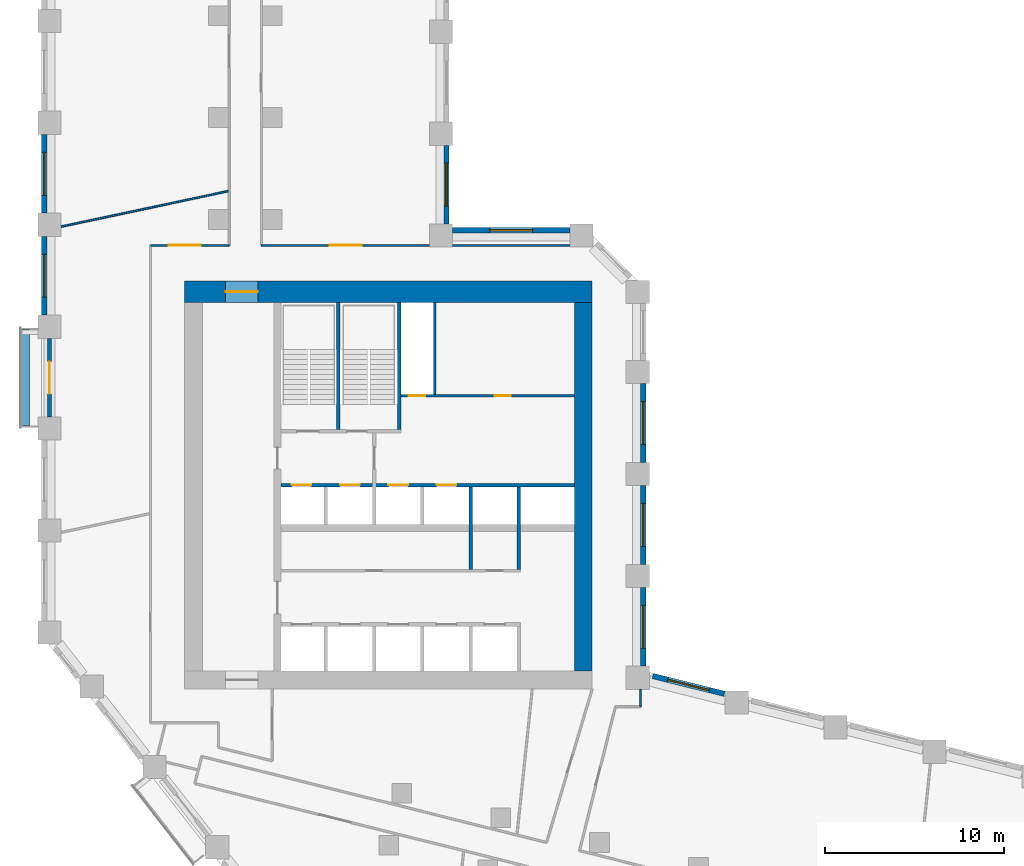
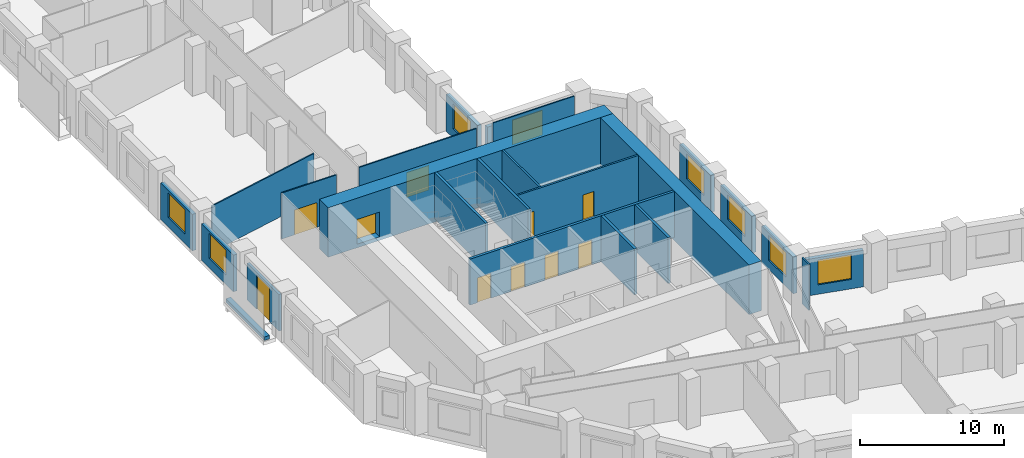
# One storey, part 5 of 11: 24 walls, 10 doors, 8 windows, 18 openings.
"""IFC4 building model written with IfcOpenShell, lengths in metres."""

from ifc_helpers import new_model, si_unit, direction, frame, frame_2d, origin, place, context, subcontext, project, spatial, rectangle, extrude, material, layer, layer_set, type_object, element, fill, save


model = new_model("IFC4")

# Units and contexts
model_context = context("Model", 3, precision=1e-05, world=origin(), true_north=direction((0.0, 1.0)))
body_context = subcontext(model_context, "Body", "Model", "MODEL_VIEW")
ifc_project = project(units=[si_unit("LENGTHUNIT", "METRE"), si_unit("AREAUNIT", "SQUARE_METRE"), si_unit("VOLUMEUNIT", "CUBIC_METRE"), si_unit("PLANEANGLEUNIT", "RADIAN"), si_unit("MASSUNIT", "GRAM", prefix="KILO")], contexts=[model_context])

# Site, building, storey
site_placement = place(None, origin())
site = spatial("IfcSite", under=ifc_project, at=site_placement, CompositionType="ELEMENT")
building_placement = place(site_placement, origin())
building = spatial("IfcBuilding", under=site, at=building_placement, Name="Meshkara Civic Tower", CompositionType="ELEMENT")
storey_placement = place(building_placement, frame((0.0, 0.0, 135.0)))
storey = spatial("IfcBuildingStorey", under=building, at=storey_placement, Name="L30", CompositionType="ELEMENT", Elevation=135.0)

# Wall, openings, doors
ifc_material_1 = material(Name="Blockwork", Category="masonry")
ifc_layer_1 = layer(ifc_material_1, 0.14990234375)
ifc_layer_set_1 = layer_set([ifc_layer_1], Name="Core partition 150")
wall_type_1 = type_object("IfcWallType", Name="Core partition 150", PredefinedType="PARTITIONING", material=ifc_layer_set_1)
wall_1_placement = place(storey_placement, frame((20.10009765625, 30.5, 0.0), z_axis=(0.0, 0.0, 1.0), x_axis=(1.0, 0.0, 0.0)))
wall_1 = element("IfcWall", 1, at=wall_1_placement, inside=storey, type_object=wall_type_1, Name="L30-C010", PredefinedType="PARTITIONING", context=body_context, shape_type="SweptSolid", body=[
    extrude(rectangle(XDim=9.699951171875, YDim=0.14990234375, at=frame_2d((4.85009765625, 0.0))), origin(), (0.0, 0.0, 1.0), 3.89990234375),
])
opening_1_placement = place(wall_1_placement, frame((0.449951171875, 0.0, 0.0)))
opening_1 = element("IfcOpeningElement", 2, at=opening_1_placement, cuts=wall_1, Name="Opening L30-K012", PredefinedType="OPENING", context=body_context, shape_type="SweptSolid", body=[
    extrude(rectangle(XDim=0.89990234375, YDim=2.10009765625, at=frame_2d((0.449951171875, 1.050048828125))), frame((0.0, 0.0849609375, 0.0), z_axis=(0.0, -1.0, 0.0), x_axis=(1.0, 0.0, 0.0)), (0.0, 0.0, 1.0), 0.169921875),
])
opening_2_placement = place(wall_1_placement, frame((5.25, 0.0, 0.0)))
opening_2 = element("IfcOpeningElement", 3, at=opening_2_placement, cuts=wall_1, Name="Opening L30-K013", PredefinedType="OPENING", context=body_context, shape_type="SweptSolid", body=[
    extrude(rectangle(XDim=0.89990234375, YDim=2.10009765625, at=frame_2d((0.449951171875, 1.050048828125))), frame((0.0, 0.0849609375, 0.0), z_axis=(0.0, -1.0, 0.0), x_axis=(1.0, 0.0, 0.0)), (0.0, 0.0, 1.0), 0.169921875),
])
ifc_material_2 = material(Name="Timber door leaf in steel frame", Category="steel")
door_type_1 = type_object("IfcDoorType", Name="Core room door 900", OperationType="SINGLE_SWING_LEFT", PredefinedType="DOOR", material=ifc_material_2)
door_1_placement = place(opening_2_placement, origin())
door_1 = element("IfcDoor", 4, at=door_1_placement, inside=storey, type_object=door_type_1, Name="L30-K013", OperationType="SINGLE_SWING_LEFT", OverallHeight=2.10009765625, OverallWidth=0.89990234375, PredefinedType="DOOR", context=body_context, shape_type="SweptSolid", body=[
    extrude(rectangle(XDim=0.89990234375, YDim=2.10009765625, at=frame_2d((0.449951171875, 1.050048828125))), frame((0.0, 0.02490234375, 0.0), z_axis=(0.0, -1.0, 0.0), x_axis=(1.0, 0.0, 0.0)), (0.0, 0.0, 1.0), 0.050048828125),
])
fill(opening_2, door_1)
ifc_material_3 = material(Name="Fire-rated door leaf in steel frame", Category="steel")
door_type_2 = type_object("IfcDoorType", Name="Riser door 900", OperationType="SINGLE_SWING_LEFT", PredefinedType="DOOR", material=ifc_material_3)
door_2_placement = place(opening_1_placement, origin())
door_2 = element("IfcDoor", 5, at=door_2_placement, inside=storey, type_object=door_type_2, Name="L30-K012", OperationType="SINGLE_SWING_RIGHT", OverallHeight=2.10009765625, OverallWidth=0.89990234375, PredefinedType="DOOR", context=body_context, shape_type="SweptSolid", body=[
    extrude(rectangle(XDim=0.89990234375, YDim=2.10009765625, at=frame_2d((0.449951171875, 1.050048828125))), frame((0.0, 0.02490234375, 0.0), z_axis=(0.0, -1.0, 0.0), x_axis=(1.0, 0.0, 0.0)), (0.0, 0.0, 1.0), 0.050048828125),
])
fill(opening_1, door_2)

# Walls
wall_2_placement = place(storey_placement, frame((22.0, 30.574951171875, 0.0), z_axis=(0.0, 0.0, 1.0), x_axis=(0.0, 1.0, 0.0)))
element("IfcWall", 6, at=wall_2_placement, inside=storey, type_object=wall_type_1, Name="L30-C020", PredefinedType="PARTITIONING", context=body_context, shape_type="SweptSolid", body=[
    extrude(rectangle(XDim=5.125, YDim=0.14990234375, at=frame_2d((2.5625, 0.0))), origin(), (0.0, 0.0, 1.0), 3.89990234375),
])
ifc_material_4 = material(Name="Concrete C70", Category="concrete")
ifc_layer_2 = layer(ifc_material_4, 1.0)
ifc_layer_set_2 = layer_set([ifc_layer_2], Name="Core ring wall 1000 C70")
wall_type_2 = type_object("IfcWallType", Name="Core ring wall 1000 C70", PredefinedType="SHEAR", material=ifc_layer_set_2)
wall_3_placement = place(storey_placement, frame((30.300048828125, 15.10009765625, -0.300048828125), z_axis=(0.0, 0.0, 1.0), x_axis=(0.0, 1.0, 0.0)))
element("IfcWall", 7, at=wall_3_placement, inside=storey, type_object=wall_type_2, Name="L30-C004", PredefinedType="SHEAR", context=body_context, shape_type="SweptSolid", body=[
    extrude(rectangle(XDim=20.599853515625, YDim=1.0, at=frame_2d((10.2998046875, 0.0))), origin(), (0.0, 0.0, 1.0), 4.199951171875),
])

# Wall, opening, door
ifc_material_5 = material(Name="Concrete C70", Category="concrete")
ifc_layer_3 = layer(ifc_material_5, 1.199951171875)
ifc_layer_set_3 = layer_set([ifc_layer_3], Name="Core ring wall 1200 C70")
wall_type_3 = type_object("IfcWallType", Name="Core ring wall 1200 C70", PredefinedType="SHEAR", material=ifc_layer_set_3)
wall_4_placement = place(storey_placement, frame((8.0, 36.300048828125, -0.300048828125), z_axis=(0.0, 0.0, 1.0), x_axis=(1.0, 0.0, 0.0)))
wall_4 = element("IfcWall", 8, at=wall_4_placement, inside=storey, type_object=wall_type_3, Name="L30-C002", PredefinedType="SHEAR", context=body_context, shape_type="SweptSolid", body=[
    extrude(rectangle(XDim=22.800048828125, YDim=1.199951171875, at=frame_2d((11.39990234375, 0.0))), origin(), (0.0, 0.0, 1.0), 4.199951171875),
])
opening_3_placement = place(wall_4_placement, frame((2.300048828125, 0.0, 0.300048828125)))
opening_3 = element("IfcOpeningElement", 9, at=opening_3_placement, cuts=wall_4, Name="Opening L30-K019", PredefinedType="OPENING", context=body_context, shape_type="SweptSolid", body=[
    extrude(rectangle(XDim=1.800048828125, YDim=2.10009765625, at=frame_2d((0.89990234375, 1.050048828125))), frame((0.0, 0.60986328125, 0.0), z_axis=(0.0, -1.0, 0.0), x_axis=(1.0, 0.0, 0.0)), (0.0, 0.0, 1.0), 1.219970703125),
])
ifc_material_6 = material(Name="Fire-rated door leaf in steel frame", Category="steel")
door_type_3 = type_object("IfcDoorType", Name="Core double door 1800 EI 60", OperationType="DOUBLE_DOOR_SINGLE_SWING", PredefinedType="DOOR", material=ifc_material_6)
door_3_placement = place(opening_3_placement, origin())
door_3 = element("IfcDoor", 10, at=door_3_placement, inside=storey, type_object=door_type_3, Name="L30-K019", OperationType="DOUBLE_DOOR_SINGLE_SWING", OverallHeight=2.10009765625, OverallWidth=1.800048828125, PredefinedType="DOOR", context=body_context, shape_type="SweptSolid", body=[
    extrude(rectangle(XDim=1.800048828125, YDim=2.10009765625, at=frame_2d((0.89990234375, 1.050048828125))), frame((0.0, 0.02490234375, 0.0), z_axis=(0.0, -1.0, 0.0), x_axis=(1.0, 0.0, 0.0)), (0.0, 0.0, 1.0), 0.050048828125),
])
fill(opening_3, door_3)

ifc_material_7 = material(Name="Corridor wall 100")
ifc_layer_4 = layer(ifc_material_7, 0.10009765625)
ifc_layer_set_4 = layer_set([ifc_layer_4], Name="Corridor wall 100")
wall_type_4 = type_object("IfcWallType", Name="Corridor wall 100", PredefinedType="PARTITIONING", material=ifc_layer_set_4)
wall_5_placement = place(storey_placement, frame((10.5, 38.89990234375, 0.0), z_axis=(0.0, 0.0, 1.0), x_axis=(-1.0, 0.0, 0.0)))
wall_5 = element("IfcWall", 11, at=wall_5_placement, inside=storey, type_object=wall_type_4, Name="L30-W011", PredefinedType="PARTITIONING", context=body_context, shape_type="SweptSolid", body=[
    extrude(rectangle(XDim=4.39990234375, YDim=0.10009765625, at=frame_2d((2.199951171875, 0.0))), origin(), (0.0, 0.0, 1.0), 3.89990234375),
])
opening_4_placement = place(wall_5_placement, frame((1.580078125, 0.0, 0.0)))
opening_4 = element("IfcOpeningElement", 12, at=opening_4_placement, cuts=wall_5, Name="Opening L30-D016", PredefinedType="OPENING", context=body_context, shape_type="SweptSolid", body=[
    extrude(rectangle(XDim=1.800048828125, YDim=2.10009765625, at=frame_2d((0.89990234375, 1.050048828125))), frame((0.0, 0.06005859375, 0.0), z_axis=(0.0, -1.0, 0.0), x_axis=(1.0, 0.0, 0.0)), (0.0, 0.0, 1.0), 0.1201171875),
])
ifc_material_8 = material(Name="Door pair 1800 x 2100")
door_type_4 = type_object("IfcDoorType", Name="Door pair 1800 x 2100", OperationType="SINGLE_SWING_LEFT", PredefinedType="DOOR", material=ifc_material_8)
door_4_placement = place(opening_4_placement, origin())
door_4 = element("IfcDoor", 13, at=door_4_placement, inside=storey, type_object=door_type_4, Name="L30-D016", OperationType="DOUBLE_DOOR_SINGLE_SWING", OverallHeight=2.10009765625, OverallWidth=1.800048828125, PredefinedType="DOOR", context=body_context, shape_type="SweptSolid", body=[
    extrude(rectangle(XDim=1.800048828125, YDim=2.10009765625, at=frame_2d((0.89990234375, 1.050048828125))), frame((0.0, 0.02490234375, 0.0), z_axis=(0.0, -1.0, 0.0), x_axis=(1.0, 0.0, 0.0)), (0.0, 0.0, 1.0), 0.050048828125),
])
fill(opening_4, door_4)

wall_6_placement = place(storey_placement, frame((21.699951171875, 38.89990234375, 0.0), z_axis=(0.0, 0.0, 1.0), x_axis=(-1.0, 0.0, 0.0)))
wall_6 = element("IfcWall", 14, at=wall_6_placement, inside=storey, type_object=wall_type_4, Name="L30-W018", PredefinedType="PARTITIONING", context=body_context, shape_type="SweptSolid", body=[
    extrude(rectangle(XDim=9.39990234375, YDim=0.10009765625, at=frame_2d((4.699951171875, 0.0))), origin(), (0.0, 0.0, 1.0), 3.89990234375),
])
opening_5_placement = place(wall_6_placement, frame((3.780029296875, 0.0, 0.0)))
opening_5 = element("IfcOpeningElement", 15, at=opening_5_placement, cuts=wall_6, Name="Opening L30-D017", PredefinedType="OPENING", context=body_context, shape_type="SweptSolid", body=[
    extrude(rectangle(XDim=1.800048828125, YDim=2.10009765625, at=frame_2d((0.89990234375, 1.050048828125))), frame((0.0, 0.06005859375, 0.0), z_axis=(0.0, -1.0, 0.0), x_axis=(1.0, 0.0, 0.0)), (0.0, 0.0, 1.0), 0.1201171875),
])
door_5_placement = place(opening_5_placement, origin())
door_5 = element("IfcDoor", 16, at=door_5_placement, inside=storey, type_object=door_type_4, Name="L30-D017", OperationType="DOUBLE_DOOR_SINGLE_SWING", OverallHeight=2.10009765625, OverallWidth=1.800048828125, PredefinedType="DOOR", context=body_context, shape_type="SweptSolid", body=[
    extrude(rectangle(XDim=1.800048828125, YDim=2.10009765625, at=frame_2d((0.89990234375, 1.050048828125))), frame((0.0, 0.02490234375, 0.0), z_axis=(0.0, -1.0, 0.0), x_axis=(1.0, 0.0, 0.0)), (0.0, 0.0, 1.0), 0.050048828125),
])
fill(opening_5, door_5)

# Walls
wall_7_placement = place(storey_placement, frame((29.5439453125, 38.89990234375, 0.0), z_axis=(0.0, 0.0, 1.0), x_axis=(-1.0, 0.0, 0.0)))
element("IfcWall", 17, at=wall_7_placement, inside=storey, type_object=wall_type_4, Name="L30-W019", PredefinedType="PARTITIONING", context=body_context, shape_type="SweptSolid", body=[
    extrude(rectangle(XDim=6.5439453125, YDim=0.10009765625, at=frame_2d((3.27197265625, 0.0))), origin(), (0.0, 0.0, 1.0), 3.89990234375),
])
wall_8_placement = place(storey_placement, frame((33.5, 13.10009765625, 0.0), z_axis=(0.0, 0.0, 1.0), x_axis=(0.0, 1.0, 0.0)))
element("IfcWall", 18, at=wall_8_placement, inside=storey, type_object=wall_type_4, Name="L30-W024", PredefinedType="PARTITIONING", context=body_context, shape_type="SweptSolid", body=[
    extrude(rectangle(XDim=0.968994140625, YDim=0.10009765625, at=frame_2d((0.484375, 0.0))), origin(), (0.0, 0.0, 1.0), 3.89990234375),
])

# Wall, opening, window
ifc_material_9 = material(Name="Insulated infill panel with bronze anodised aluminium cladding", Category="aluminium")
ifc_layer_5 = layer(ifc_material_9, 0.300048828125)
ifc_layer_set_5 = layer_set([ifc_layer_5], Name="EXTERNAL INFILL WALL 300")
wall_type_5 = type_object("IfcWallType", Name="EXTERNAL INFILL WALL 300", PredefinedType="SOLIDWALL", material=ifc_layer_set_5)
wall_9_placement = place(storey_placement, frame((38.18896484375, 13.822021484375, 0.0), z_axis=(0.0, 0.0, 1.0), x_axis=(-0.970281616392, 0.241978480223, 0.0)))
wall_9 = element("IfcWall", 19, at=wall_9_placement, inside=storey, type_object=wall_type_5, Name="External wall", PredefinedType="SOLIDWALL", context=body_context, shape_type="SweptSolid", body=[
    extrude(rectangle(XDim=4.12451171875, YDim=0.300048828125, at=frame_2d((2.062255859375, 0.0))), origin(), (0.0, 0.0, 1.0), 3.10009765625),
])
opening_6_placement = place(wall_9_placement, frame((0.862060546875, 0.0, 0.800048828125)))
opening_6 = element("IfcOpeningElement", 20, at=opening_6_placement, cuts=wall_9, Name="Opening W7", PredefinedType="OPENING", context=body_context, shape_type="SweptSolid", body=[
    extrude(rectangle(XDim=2.39990234375, YDim=2.10009765625, at=frame_2d((1.199951171875, 1.050048828125))), frame((0.0, 0.159912109375, 0.0), z_axis=(0.0, -1.0, 0.0), x_axis=(1.0, 0.0, 0.0)), (0.0, 0.0, 1.0), 0.320068359375),
])
ifc_material_10 = material(Name="Tinted double glazing", Category="glass")
window_type = type_object("IfcWindowType", Name="WINDOW 2400x2100", PartitioningType="DOUBLE_PANEL_VERTICAL", PredefinedType="WINDOW", material=ifc_material_10)
window_1_placement = place(opening_6_placement, origin())
window_1 = element("IfcWindow", 21, at=window_1_placement, inside=storey, type_object=window_type, Name="Window", OverallHeight=2.10009765625, OverallWidth=2.39990234375, PartitioningType="DOUBLE_PANEL_VERTICAL", PredefinedType="WINDOW", context=body_context, shape_type="SweptSolid", body=[
    extrude(rectangle(XDim=2.39990234375, YDim=2.10009765625, at=frame_2d((1.199951171875, 1.050048828125))), frame((0.0, 0.030029296875, 0.0), z_axis=(0.0, -1.0, 0.0), x_axis=(1.0, 0.0, 0.0)), (0.0, 0.0, 1.0), 0.06005859375),
])
fill(opening_6, window_1)

wall_10_placement = place(storey_placement, frame((33.64990234375, 15.368896484375, 0.0), z_axis=(0.0, 0.0, 1.0), x_axis=(0.0, 1.0, 0.0)))
wall_10 = element("IfcWall", 22, at=wall_10_placement, inside=storey, type_object=wall_type_5, Name="External wall", PredefinedType="SOLIDWALL", context=body_context, shape_type="SweptSolid", body=[
    extrude(rectangle(XDim=4.400146484375, YDim=0.300048828125, at=frame_2d((2.2001953125, 0.0))), origin(), (0.0, 0.0, 1.0), 3.10009765625),
])
opening_7_placement = place(wall_10_placement, frame((1.0, 0.0, 0.800048828125)))
opening_7 = element("IfcOpeningElement", 23, at=opening_7_placement, cuts=wall_10, Name="Opening W7", PredefinedType="OPENING", context=body_context, shape_type="SweptSolid", body=[
    extrude(rectangle(XDim=2.39990234375, YDim=2.10009765625, at=frame_2d((1.199951171875, 1.050048828125))), frame((0.0, 0.159912109375, 0.0), z_axis=(0.0, -1.0, 0.0), x_axis=(1.0, 0.0, 0.0)), (0.0, 0.0, 1.0), 0.320068359375),
])
window_2_placement = place(opening_7_placement, origin())
window_2 = element("IfcWindow", 24, at=window_2_placement, inside=storey, type_object=window_type, Name="Window", OverallHeight=2.10009765625, OverallWidth=2.39990234375, PartitioningType="DOUBLE_PANEL_VERTICAL", PredefinedType="WINDOW", context=body_context, shape_type="SweptSolid", body=[
    extrude(rectangle(XDim=2.39990234375, YDim=2.10009765625, at=frame_2d((1.199951171875, 1.050048828125))), frame((0.0, 0.030029296875, 0.0), z_axis=(0.0, -1.0, 0.0), x_axis=(1.0, 0.0, 0.0)), (0.0, 0.0, 1.0), 0.06005859375),
])
fill(opening_7, window_2)

wall_11_placement = place(storey_placement, frame((33.64990234375, 21.069091796875, 0.0), z_axis=(0.0, 0.0, 1.0), x_axis=(0.0, 1.0, 0.0)))
wall_11 = element("IfcWall", 25, at=wall_11_placement, inside=storey, type_object=wall_type_5, Name="External wall", PredefinedType="SOLIDWALL", context=body_context, shape_type="SweptSolid", body=[
    extrude(rectangle(XDim=4.39990234375, YDim=0.300048828125, at=frame_2d((2.199951171875, 0.0))), origin(), (0.0, 0.0, 1.0), 3.10009765625),
])
opening_8_placement = place(wall_11_placement, frame((1.0, 0.0, 0.800048828125)))
opening_8 = element("IfcOpeningElement", 26, at=opening_8_placement, cuts=wall_11, Name="Opening W7", PredefinedType="OPENING", context=body_context, shape_type="SweptSolid", body=[
    extrude(rectangle(XDim=2.39990234375, YDim=2.10009765625, at=frame_2d((1.199951171875, 1.050048828125))), frame((0.0, 0.159912109375, 0.0), z_axis=(0.0, -1.0, 0.0), x_axis=(1.0, 0.0, 0.0)), (0.0, 0.0, 1.0), 0.320068359375),
])
window_3_placement = place(opening_8_placement, origin())
window_3 = element("IfcWindow", 27, at=window_3_placement, inside=storey, type_object=window_type, Name="Window", OverallHeight=2.10009765625, OverallWidth=2.39990234375, PartitioningType="DOUBLE_PANEL_VERTICAL", PredefinedType="WINDOW", context=body_context, shape_type="SweptSolid", body=[
    extrude(rectangle(XDim=2.39990234375, YDim=2.10009765625, at=frame_2d((1.199951171875, 1.050048828125))), frame((0.0, 0.030029296875, 0.0), z_axis=(0.0, -1.0, 0.0), x_axis=(1.0, 0.0, 0.0)), (0.0, 0.0, 1.0), 0.06005859375),
])
fill(opening_8, window_3)

wall_12_placement = place(storey_placement, frame((33.64990234375, 26.76904296875, 0.0), z_axis=(0.0, 0.0, 1.0), x_axis=(0.0, 1.0, 0.0)))
wall_12 = element("IfcWall", 28, at=wall_12_placement, inside=storey, type_object=wall_type_5, Name="External wall", PredefinedType="SOLIDWALL", context=body_context, shape_type="SweptSolid", body=[
    extrude(rectangle(XDim=4.39990234375, YDim=0.300048828125, at=frame_2d((2.199951171875, 0.0))), origin(), (0.0, 0.0, 1.0), 3.10009765625),
])
opening_9_placement = place(wall_12_placement, frame((1.0, 0.0, 0.800048828125)))
opening_9 = element("IfcOpeningElement", 29, at=opening_9_placement, cuts=wall_12, Name="Opening W7", PredefinedType="OPENING", context=body_context, shape_type="SweptSolid", body=[
    extrude(rectangle(XDim=2.39990234375, YDim=2.10009765625, at=frame_2d((1.199951171875, 1.050048828125))), frame((0.0, 0.159912109375, 0.0), z_axis=(0.0, -1.0, 0.0), x_axis=(1.0, 0.0, 0.0)), (0.0, 0.0, 1.0), 0.320068359375),
])
window_4_placement = place(opening_9_placement, origin())
window_4 = element("IfcWindow", 30, at=window_4_placement, inside=storey, type_object=window_type, Name="Window", OverallHeight=2.10009765625, OverallWidth=2.39990234375, PartitioningType="DOUBLE_PANEL_VERTICAL", PredefinedType="WINDOW", context=body_context, shape_type="SweptSolid", body=[
    extrude(rectangle(XDim=2.39990234375, YDim=2.10009765625, at=frame_2d((1.199951171875, 1.050048828125))), frame((0.0, 0.030029296875, 0.0), z_axis=(0.0, -1.0, 0.0), x_axis=(1.0, 0.0, 0.0)), (0.0, 0.0, 1.0), 0.06005859375),
])
fill(opening_9, window_4)

wall_13_placement = place(storey_placement, frame((29.5439453125, 39.75, 0.0), z_axis=(0.0, 0.0, 1.0), x_axis=(-1.0, 0.0, 0.0)))
wall_13 = element("IfcWall", 31, at=wall_13_placement, inside=storey, type_object=wall_type_5, Name="External wall", PredefinedType="SOLIDWALL", context=body_context, shape_type="SweptSolid", body=[
    extrude(rectangle(XDim=6.5439453125, YDim=0.300048828125, at=frame_2d((3.27197265625, 0.0))), origin(), (0.0, 0.0, 1.0), 3.10009765625),
])
opening_10_placement = place(wall_13_placement, frame((2.072021484375, 0.0, 0.800048828125)))
opening_10 = element("IfcOpeningElement", 32, at=opening_10_placement, cuts=wall_13, Name="Opening W7", PredefinedType="OPENING", context=body_context, shape_type="SweptSolid", body=[
    extrude(rectangle(XDim=2.39990234375, YDim=2.10009765625, at=frame_2d((1.199951171875, 1.050048828125))), frame((0.0, 0.159912109375, 0.0), z_axis=(0.0, -1.0, 0.0), x_axis=(1.0, 0.0, 0.0)), (0.0, 0.0, 1.0), 0.320068359375),
])
window_5_placement = place(opening_10_placement, origin())
window_5 = element("IfcWindow", 33, at=window_5_placement, inside=storey, type_object=window_type, Name="Window", OverallHeight=2.10009765625, OverallWidth=2.39990234375, PartitioningType="DOUBLE_PANEL_VERTICAL", PredefinedType="WINDOW", context=body_context, shape_type="SweptSolid", body=[
    extrude(rectangle(XDim=2.39990234375, YDim=2.10009765625, at=frame_2d((1.199951171875, 1.050048828125))), frame((0.0, 0.030029296875, 0.0), z_axis=(0.0, -1.0, 0.0), x_axis=(1.0, 0.0, 0.0)), (0.0, 0.0, 1.0), 0.06005859375),
])
fill(opening_10, window_5)

wall_14_placement = place(storey_placement, frame((22.64990234375, 40.10009765625, 0.0), z_axis=(0.0, 0.0, 1.0), x_axis=(0.0, 1.0, 0.0)))
wall_14 = element("IfcWall", 34, at=wall_14_placement, inside=storey, type_object=wall_type_5, Name="External wall", PredefinedType="SOLIDWALL", context=body_context, shape_type="SweptSolid", body=[
    extrude(rectangle(XDim=4.39990234375, YDim=0.300048828125, at=frame_2d((2.199951171875, 0.0))), origin(), (0.0, 0.0, 1.0), 3.10009765625),
])
opening_11_placement = place(wall_14_placement, frame((1.0, 0.0, 0.800048828125)))
opening_11 = element("IfcOpeningElement", 35, at=opening_11_placement, cuts=wall_14, Name="Opening W7", PredefinedType="OPENING", context=body_context, shape_type="SweptSolid", body=[
    extrude(rectangle(XDim=2.39990234375, YDim=2.10009765625, at=frame_2d((1.199951171875, 1.050048828125))), frame((0.0, 0.159912109375, 0.0), z_axis=(0.0, -1.0, 0.0), x_axis=(1.0, 0.0, 0.0)), (0.0, 0.0, 1.0), 0.320068359375),
])
window_6_placement = place(opening_11_placement, origin())
window_6 = element("IfcWindow", 36, at=window_6_placement, inside=storey, type_object=window_type, Name="Window", OverallHeight=2.10009765625, OverallWidth=2.39990234375, PartitioningType="DOUBLE_PANEL_VERTICAL", PredefinedType="WINDOW", context=body_context, shape_type="SweptSolid", body=[
    extrude(rectangle(XDim=2.39990234375, YDim=2.10009765625, at=frame_2d((1.199951171875, 1.050048828125))), frame((0.0, 0.030029296875, 0.0), z_axis=(0.0, -1.0, 0.0), x_axis=(1.0, 0.0, 0.0)), (0.0, 0.0, 1.0), 0.06005859375),
])
fill(opening_11, window_6)

wall_15_placement = place(storey_placement, frame((0.14990234375, 45.10498046875, 0.0), z_axis=(0.0, 0.0, 1.0), x_axis=(0.0, -1.0, 0.0)))
wall_15 = element("IfcWall", 37, at=wall_15_placement, inside=storey, type_object=wall_type_5, Name="External wall", PredefinedType="SOLIDWALL", context=body_context, shape_type="SweptSolid", body=[
    extrude(rectangle(XDim=4.39990234375, YDim=0.300048828125, at=frame_2d((2.199951171875, 0.0))), origin(), (0.0, 0.0, 1.0), 3.10009765625),
])
opening_12_placement = place(wall_15_placement, frame((1.0, 0.0, 0.800048828125)))
opening_12 = element("IfcOpeningElement", 38, at=opening_12_placement, cuts=wall_15, Name="Opening W7", PredefinedType="OPENING", context=body_context, shape_type="SweptSolid", body=[
    extrude(rectangle(XDim=2.39990234375, YDim=2.10009765625, at=frame_2d((1.199951171875, 1.050048828125))), frame((0.0, 0.159912109375, 0.0), z_axis=(0.0, -1.0, 0.0), x_axis=(1.0, 0.0, 0.0)), (0.0, 0.0, 1.0), 0.320068359375),
])
window_7_placement = place(opening_12_placement, origin())
window_7 = element("IfcWindow", 39, at=window_7_placement, inside=storey, type_object=window_type, Name="Window", OverallHeight=2.10009765625, OverallWidth=2.39990234375, PartitioningType="DOUBLE_PANEL_VERTICAL", PredefinedType="WINDOW", context=body_context, shape_type="SweptSolid", body=[
    extrude(rectangle(XDim=2.39990234375, YDim=2.10009765625, at=frame_2d((1.199951171875, 1.050048828125))), frame((0.0, 0.030029296875, 0.0), z_axis=(0.0, -1.0, 0.0), x_axis=(1.0, 0.0, 0.0)), (0.0, 0.0, 1.0), 0.06005859375),
])
fill(opening_12, window_7)

wall_16_placement = place(storey_placement, frame((0.14990234375, 39.405029296875, 0.0), z_axis=(0.0, 0.0, 1.0), x_axis=(0.0, -1.0, 0.0)))
wall_16 = element("IfcWall", 40, at=wall_16_placement, inside=storey, type_object=wall_type_5, Name="External wall", PredefinedType="SOLIDWALL", context=body_context, shape_type="SweptSolid", body=[
    extrude(rectangle(XDim=4.400146484375, YDim=0.300048828125, at=frame_2d((2.2001953125, 0.0))), origin(), (0.0, 0.0, 1.0), 3.10009765625),
])
opening_13_placement = place(wall_16_placement, frame((1.0, 0.0, 0.800048828125)))
opening_13 = element("IfcOpeningElement", 41, at=opening_13_placement, cuts=wall_16, Name="Opening W7", PredefinedType="OPENING", context=body_context, shape_type="SweptSolid", body=[
    extrude(rectangle(XDim=2.39990234375, YDim=2.10009765625, at=frame_2d((1.199951171875, 1.050048828125))), frame((0.0, 0.159912109375, 0.0), z_axis=(0.0, -1.0, 0.0), x_axis=(1.0, 0.0, 0.0)), (0.0, 0.0, 1.0), 0.320068359375),
])
window_8_placement = place(opening_13_placement, origin())
window_8 = element("IfcWindow", 42, at=window_8_placement, inside=storey, type_object=window_type, Name="Window", OverallHeight=2.10009765625, OverallWidth=2.39990234375, PartitioningType="DOUBLE_PANEL_VERTICAL", PredefinedType="WINDOW", context=body_context, shape_type="SweptSolid", body=[
    extrude(rectangle(XDim=2.39990234375, YDim=2.10009765625, at=frame_2d((1.199951171875, 1.050048828125))), frame((0.0, 0.030029296875, 0.0), z_axis=(0.0, -1.0, 0.0), x_axis=(1.0, 0.0, 0.0)), (0.0, 0.0, 1.0), 0.06005859375),
])
fill(opening_13, window_8)

# Wall, opening, door
ifc_material_11 = material(Name="Insulated infill panel with bronze anodised aluminium cladding", Category="aluminium")
ifc_layer_6 = layer(ifc_material_11, 0.199951171875)
ifc_layer_set_6 = layer_set([ifc_layer_6], Name="LOGGIA BACK WALL 200")
wall_type_6 = type_object("IfcWallType", Name="LOGGIA BACK WALL 200", PredefinedType="SOLIDWALL", material=ifc_layer_set_6)
wall_17_placement = place(storey_placement, frame((0.449951171875, 33.7041015625, 0.0), z_axis=(0.0, 0.0, 1.0), x_axis=(0.0, -1.0, 0.0)))
wall_17 = element("IfcWall", 43, at=wall_17_placement, inside=storey, type_object=wall_type_6, Name="Loggia wall", PredefinedType="SOLIDWALL", context=body_context, shape_type="SweptSolid", body=[
    extrude(rectangle(XDim=4.398193359375, YDim=0.199951171875, at=frame_2d((2.19921875, 0.0))), origin(), (0.0, 0.0, 1.0), 3.10009765625),
])
opening_14_placement = place(wall_17_placement, frame((1.300048828125, 0.0, 0.0)))
opening_14 = element("IfcOpeningElement", 44, at=opening_14_placement, cuts=wall_17, Name="Opening L30-L002", PredefinedType="OPENING", context=body_context, shape_type="SweptSolid", body=[
    extrude(rectangle(XDim=1.800048828125, YDim=2.89990234375, at=frame_2d((0.89990234375, 1.449951171875))), frame((0.0, 0.10986328125, 0.0), z_axis=(0.0, -1.0, 0.0), x_axis=(1.0, 0.0, 0.0)), (0.0, 0.0, 1.0), 0.219970703125),
])
ifc_material_12 = material(Name="Tinted double glazing", Category="glass")
door_type_5 = type_object("IfcDoorType", Name="LOGGIA DOOR 1800x2900", OperationType="DOUBLE_DOOR_SINGLE_SWING", PredefinedType="DOOR", material=ifc_material_12)
door_6_placement = place(opening_14_placement, origin())
door_6 = element("IfcDoor", 45, at=door_6_placement, inside=storey, type_object=door_type_5, Name="L30-L002", OperationType="DOUBLE_DOOR_SINGLE_SWING", OverallHeight=2.89990234375, OverallWidth=1.800048828125, PredefinedType="DOOR", context=body_context, shape_type="SweptSolid", body=[
    extrude(rectangle(XDim=1.800048828125, YDim=2.89990234375, at=frame_2d((0.89990234375, 1.449951171875))), frame((0.0, 0.02490234375, 0.0), z_axis=(0.0, -1.0, 0.0), x_axis=(1.0, 0.0, 0.0)), (0.0, 0.0, 1.0), 0.050048828125),
])
fill(opening_14, door_6)

# Walls
ifc_material_13 = material(Name="Concrete C40", Category="concrete")
ifc_layer_7 = layer(ifc_material_13, 0.39990234375)
ifc_layer_set_7 = layer_set([ifc_layer_7], Name="PLANTER TRAY")
wall_type_7 = type_object("IfcWallType", Name="PLANTER TRAY", PredefinedType="SOLIDWALL", material=ifc_layer_set_7)
wall_18_placement = place(storey_placement, frame((-0.8798828125, 34.18505859375, 0.0), z_axis=(0.0, 0.0, 1.0), x_axis=(0.0, -1.0, 0.0)))
element("IfcWall", 46, at=wall_18_placement, inside=storey, type_object=wall_type_7, Name="Planter", PredefinedType="SOLIDWALL", context=body_context, shape_type="SweptSolid", body=[
    extrude(rectangle(XDim=5.360107421875, YDim=0.39990234375, at=frame_2d((2.68017578125, 0.0))), origin(), (0.0, 0.0, 1.0), 0.300048828125),
])
ifc_material_14 = material(Name="Partition 100")
ifc_layer_8 = layer(ifc_material_14, 0.10009765625)
ifc_layer_set_8 = layer_set([ifc_layer_8], Name="Partition 100")
wall_type_8 = type_object("IfcWallType", Name="Partition 100", PredefinedType="PARTITIONING", material=ifc_layer_set_8)
wall_19_placement = place(storey_placement, frame((10.43994140625, 41.93408203125, 0.0), z_axis=(0.0, 0.0, 1.0), x_axis=(-0.978129729955, -0.207995748463, 0.0)))
element("IfcWall", 47, at=wall_19_placement, inside=storey, type_object=wall_type_8, Name="L30-W036", PredefinedType="PARTITIONING", context=body_context, shape_type="SweptSolid", body=[
    extrude(rectangle(XDim=9.548583984375, YDim=0.10009765625, at=frame_2d((4.7744140625, 0.0))), origin(), (0.0, 0.0, 1.0), 3.89990234375),
])

# Wall, openings, doors
ifc_material_15 = material(Name="Concrete C40/50", Category="concrete")
ifc_layer_9 = layer(ifc_material_15, 0.199951171875)
ifc_layer_set_9 = layer_set([ifc_layer_9], Name="Shaft wall 200 C40/50")
wall_type_9 = type_object("IfcWallType", Name="Shaft wall 200 C40/50", PredefinedType="SOLIDWALL", material=ifc_layer_set_9)
wall_20_placement = place(storey_placement, frame((13.39990234375, 25.5, 0.0), z_axis=(0.0, 0.0, 1.0), x_axis=(1.0, 0.0, 0.0)))
wall_20 = element("IfcWall", 48, at=wall_20_placement, inside=storey, type_object=wall_type_9, Name="L30-C008", PredefinedType="SOLIDWALL", context=body_context, shape_type="SweptSolid", body=[
    extrude(rectangle(XDim=16.400146484375, YDim=0.199951171875, at=frame_2d((8.2001953125, 0.0))), origin(), (0.0, 0.0, 1.0), 3.89990234375),
])
opening_15_placement = place(wall_20_placement, frame((0.60009765625, 0.0, 0.0)))
opening_15 = element("IfcOpeningElement", 49, at=opening_15_placement, cuts=wall_20, Name="Opening L30-K006", PredefinedType="OPENING", context=body_context, shape_type="SweptSolid", body=[
    extrude(rectangle(XDim=1.10009765625, YDim=2.10009765625, at=frame_2d((0.550048828125, 1.050048828125))), frame((0.0, 0.10986328125, 0.0), z_axis=(0.0, -1.0, 0.0), x_axis=(1.0, 0.0, 0.0)), (0.0, 0.0, 1.0), 0.219970703125),
])
opening_16_placement = place(wall_20_placement, frame((3.300048828125, 0.0, 0.0)))
opening_16 = element("IfcOpeningElement", 50, at=opening_16_placement, cuts=wall_20, Name="Opening L30-K007", PredefinedType="OPENING", context=body_context, shape_type="SweptSolid", body=[
    extrude(rectangle(XDim=1.10009765625, YDim=2.10009765625, at=frame_2d((0.550048828125, 1.050048828125))), frame((0.0, 0.10986328125, 0.0), z_axis=(0.0, -1.0, 0.0), x_axis=(1.0, 0.0, 0.0)), (0.0, 0.0, 1.0), 0.219970703125),
])
opening_17_placement = place(wall_20_placement, frame((6.0, 0.0, 0.0)))
opening_17 = element("IfcOpeningElement", 51, at=opening_17_placement, cuts=wall_20, Name="Opening L30-K008", PredefinedType="OPENING", context=body_context, shape_type="SweptSolid", body=[
    extrude(rectangle(XDim=1.10009765625, YDim=2.10009765625, at=frame_2d((0.550048828125, 1.050048828125))), frame((0.0, 0.10986328125, 0.0), z_axis=(0.0, -1.0, 0.0), x_axis=(1.0, 0.0, 0.0)), (0.0, 0.0, 1.0), 0.219970703125),
])
opening_18_placement = place(wall_20_placement, frame((8.699951171875, 0.0, 0.0)))
opening_18 = element("IfcOpeningElement", 52, at=opening_18_placement, cuts=wall_20, Name="Opening L30-K009", PredefinedType="OPENING", context=body_context, shape_type="SweptSolid", body=[
    extrude(rectangle(XDim=1.10009765625, YDim=2.10009765625, at=frame_2d((0.550048828125, 1.050048828125))), frame((0.0, 0.10986328125, 0.0), z_axis=(0.0, -1.0, 0.0), x_axis=(1.0, 0.0, 0.0)), (0.0, 0.0, 1.0), 0.219970703125),
])
ifc_material_16 = material(Name="Stainless steel landing door", Category="steel")
door_type_6 = type_object("IfcDoorType", Name="Lift landing door 1100", OperationType="SLIDING_TO_LEFT", PredefinedType="DOOR", material=ifc_material_16)
door_7_placement = place(opening_15_placement, origin())
door_7 = element("IfcDoor", 53, at=door_7_placement, inside=storey, type_object=door_type_6, Name="L30-K006", OperationType="SLIDING_TO_LEFT", OverallHeight=2.10009765625, OverallWidth=1.10009765625, PredefinedType="DOOR", context=body_context, shape_type="SweptSolid", body=[
    extrude(rectangle(XDim=1.10009765625, YDim=2.10009765625, at=frame_2d((0.550048828125, 1.050048828125))), frame((0.0, 0.02490234375, 0.0), z_axis=(0.0, -1.0, 0.0), x_axis=(1.0, 0.0, 0.0)), (0.0, 0.0, 1.0), 0.050048828125),
])
fill(opening_15, door_7)
door_8_placement = place(opening_16_placement, origin())
door_8 = element("IfcDoor", 54, at=door_8_placement, inside=storey, type_object=door_type_6, Name="L30-K007", OperationType="SLIDING_TO_LEFT", OverallHeight=2.10009765625, OverallWidth=1.10009765625, PredefinedType="DOOR", context=body_context, shape_type="SweptSolid", body=[
    extrude(rectangle(XDim=1.10009765625, YDim=2.10009765625, at=frame_2d((0.550048828125, 1.050048828125))), frame((0.0, 0.02490234375, 0.0), z_axis=(0.0, -1.0, 0.0), x_axis=(1.0, 0.0, 0.0)), (0.0, 0.0, 1.0), 0.050048828125),
])
fill(opening_16, door_8)
door_9_placement = place(opening_17_placement, origin())
door_9 = element("IfcDoor", 55, at=door_9_placement, inside=storey, type_object=door_type_6, Name="L30-K008", OperationType="SLIDING_TO_LEFT", OverallHeight=2.10009765625, OverallWidth=1.10009765625, PredefinedType="DOOR", context=body_context, shape_type="SweptSolid", body=[
    extrude(rectangle(XDim=1.10009765625, YDim=2.10009765625, at=frame_2d((0.550048828125, 1.050048828125))), frame((0.0, 0.02490234375, 0.0), z_axis=(0.0, -1.0, 0.0), x_axis=(1.0, 0.0, 0.0)), (0.0, 0.0, 1.0), 0.050048828125),
])
fill(opening_17, door_9)
door_10_placement = place(opening_18_placement, origin())
door_10 = element("IfcDoor", 56, at=door_10_placement, inside=storey, type_object=door_type_6, Name="L30-K009", OperationType="SLIDING_TO_LEFT", OverallHeight=2.10009765625, OverallWidth=1.10009765625, PredefinedType="DOOR", context=body_context, shape_type="SweptSolid", body=[
    extrude(rectangle(XDim=1.10009765625, YDim=2.10009765625, at=frame_2d((0.550048828125, 1.050048828125))), frame((0.0, 0.02490234375, 0.0), z_axis=(0.0, -1.0, 0.0), x_axis=(1.0, 0.0, 0.0)), (0.0, 0.0, 1.0), 0.050048828125),
])
fill(opening_18, door_10)

# Walls
for number, where, z_axis, x_axis, name in (
    (57, (24.0, 20.77490234375, 0.0), (0.0, 0.0, 1.0), (0.0, 1.0, 0.0), "L30-C022"),
    (58, (26.699951171875, 20.77490234375, 0.0), (0.0, 0.0, 1.0), (0.0, 1.0, 0.0), "L30-C024"),
):
    element("IfcWall", number, at=place(storey_placement, frame(where, z_axis=z_axis, x_axis=x_axis)), inside=storey, type_object=wall_type_9, Name=name, PredefinedType="SOLIDWALL", context=body_context, shape_type="SweptSolid", body=[
        extrude(rectangle(XDim=4.625, YDim=0.199951171875, at=frame_2d((2.3125, 0.0))), origin(), (0.0, 0.0, 1.0), 3.89990234375),
    ])
ifc_material_17 = material(Name="Concrete C40/50", Category="concrete")
ifc_layer_10 = layer(ifc_material_17, 0.199951171875)
ifc_layer_set_10 = layer_set([ifc_layer_10], Name="Stair enclosure wall 200 C40/50")
wall_type_10 = type_object("IfcWallType", Name="Stair enclosure wall 200 C40/50", PredefinedType="SOLIDWALL", material=ifc_layer_set_10)
for number, where, z_axis, x_axis, name in (
    (59, (16.60009765625, 28.60009765625, 0.0), (0.0, 0.0, 1.0), (0.0, 1.0, 0.0), "L30-C014"),
    (60, (20.0, 28.60009765625, 0.0), (0.0, 0.0, 1.0), (0.0, 1.0, 0.0), "L30-C017"),
):
    element("IfcWall", number, at=place(storey_placement, frame(where, z_axis=z_axis, x_axis=x_axis)), inside=storey, type_object=wall_type_10, Name=name, PredefinedType="SOLIDWALL", context=body_context, shape_type="SweptSolid", body=[
        extrude(rectangle(XDim=7.099853515625, YDim=0.199951171875, at=frame_2d((3.5498046875, 0.0))), origin(), (0.0, 0.0, 1.0), 3.89990234375),
    ])

save(model, "model.ifc")
